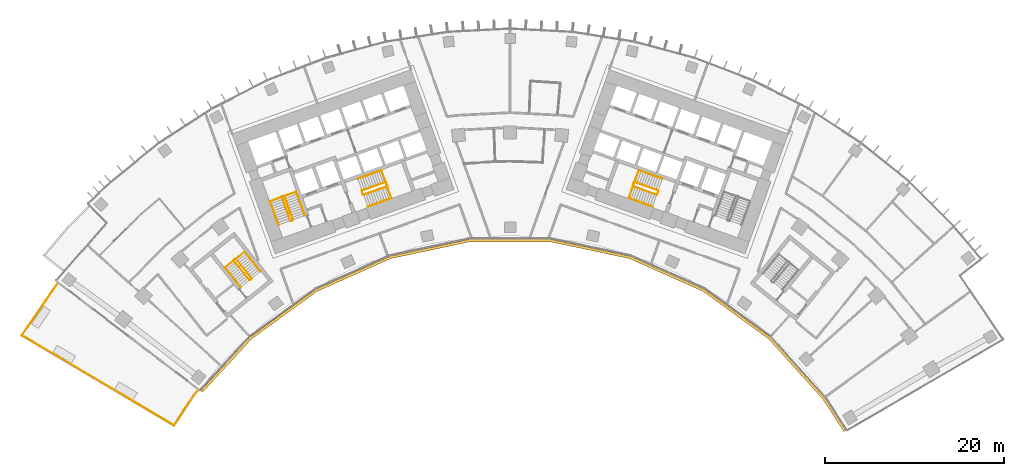
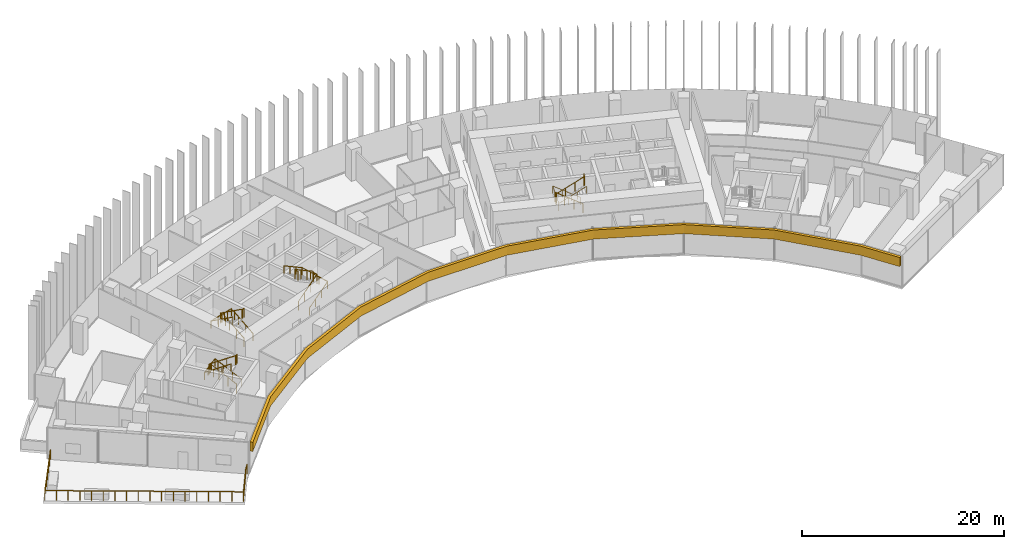
# One storey, part 20 of 21: 13 railings, 1 covering.
"""IFC4 building model written with IfcOpenShell, lengths in metres."""

from ifc_helpers import new_model, si_unit, direction, frame, origin, origin_2d, place, context, subcontext, project, spatial, polyline, circle, outline, extrude, material, layer, layer_set, type_object, element, save


model = new_model("IFC4")

# Units and contexts
model_context = context("Model", 3, precision=1e-05, world=origin(), true_north=direction((0.0, 1.0)))
body_context = subcontext(model_context, "Body", "Model", "MODEL_VIEW")
ifc_project = project(units=[si_unit("LENGTHUNIT", "METRE"), si_unit("AREAUNIT", "SQUARE_METRE"), si_unit("VOLUMEUNIT", "CUBIC_METRE"), si_unit("PLANEANGLEUNIT", "RADIAN"), si_unit("MASSUNIT", "GRAM", prefix="KILO")], contexts=[model_context])

# Site, building, storey
site_placement = place(None, origin())
site = spatial("IfcSite", under=ifc_project, at=site_placement, CompositionType="ELEMENT")
building_placement = place(site_placement, origin())
building = spatial("IfcBuilding", under=site, at=building_placement, Name="Stone Belt Terrace Tower", CompositionType="ELEMENT")
storey_placement = place(building_placement, frame((0.0, 0.0, 87.0)))
storey = spatial("IfcBuildingStorey", under=building, at=storey_placement, Name="L20", CompositionType="ELEMENT", Elevation=87.0)

# Railings
ifc_material_1 = material(Name="Structural steel C345", Category="steel")
railing_type_1 = type_object("IfcRailingType", Name="Stair guard 1100", PredefinedType="GUARDRAIL", material=ifc_material_1)
railing_1_placement = place(storey_placement, frame((-24.2119140625, 45.276123046875, 0.172607421875)))
element("IfcRailing", 1, at=railing_1_placement, inside=storey, type_object=railing_type_1, Name="L20 ST1A stair guard 1", PredefinedType="GUARDRAIL", context=body_context, shape_type="SweptSolid", body=[
    extrude(circle(Radius=0.02392578125, at=origin_2d()), frame((0.0, 0.0, 1.076171875), z_axis=(-0.288228637646, 0.800791768495, 0.525030280985), x_axis=(-0.940908529223, -0.338660803216, 0.0)), (0.0, 0.0, 1.0), 3.289794921875),
    extrude(circle(Radius=0.02392578125, at=origin_2d()), frame((-0.9482421875, 2.634521484375, 2.80322265625), z_axis=(-0.905209821074, 0.424964916, 0.0), x_axis=(-0.424964916, -0.905209821074, 0.0)), (0.0, 0.0, 1.0), 0.070556640625),
    extrude(circle(Radius=0.02392578125, at=origin_2d()), frame((-1.01220703125, 2.66455078125, 2.80322265625), z_axis=(-0.941105063269, -0.338114270461, 0.0), x_axis=(0.338114270461, -0.941105063269, 0.0)), (0.0, 0.0, 1.0), 0.199951171875),
    extrude(circle(Radius=0.02099609375, at=origin_2d()), origin(), (0.0, 0.0, 1.0), 1.052001953125),
    extrude(circle(Radius=0.02099609375, at=origin_2d()), frame((-0.316162109375, 0.878173828125, 0.57568359375)), (0.0, 0.0, 1.0), 1.052001953125),
    extrude(circle(Radius=0.02099609375, at=origin_2d()), frame((-0.632080078125, 1.75634765625, 1.151611328125)), (0.0, 0.0, 1.0), 1.052001953125),
    extrude(circle(Radius=0.02099609375, at=origin_2d()), frame((-0.9482421875, 2.634521484375, 1.727294921875)), (0.0, 0.0, 1.0), 1.052001953125),
    extrude(circle(Radius=0.02099609375, at=origin_2d()), frame((-1.01220703125, 2.66455078125, 1.727294921875)), (0.0, 0.0, 1.0), 1.052001953125),
    extrude(circle(Radius=0.02099609375, at=origin_2d()), frame((-1.200439453125, 2.596923828125, 1.727294921875)), (0.0, 0.0, 1.0), 1.052001953125),
])
railing_2_placement = place(storey_placement, frame((-25.4423828125, 47.80908203125, 2.07275390625)))
element("IfcRailing", 2, at=railing_2_placement, inside=storey, type_object=railing_type_1, Name="L20 ST1A stair guard 2", PredefinedType="GUARDRAIL", context=body_context, shape_type="SweptSolid", body=[
    extrude(circle(Radius=0.02392578125, at=origin_2d()), frame((0.0, 0.0, 1.076171875), z_axis=(0.288228637646, -0.800791768495, 0.525030280985), x_axis=(0.940908529223, 0.338660803216, 0.0)), (0.0, 0.0, 1.0), 3.289794921875),
    extrude(circle(Radius=0.02392578125, at=origin_2d()), frame((0.9482421875, -2.634521484375, 2.80322265625), z_axis=(0.903878284585, -0.427789722475, 0.0), x_axis=(0.427789722475, 0.903878284585, 0.0)), (0.0, 0.0, 1.0), 0.07080078125),
    extrude(circle(Radius=0.02392578125, at=origin_2d()), frame((1.01220703125, -2.664794921875, 2.80322265625), z_axis=(0.940575576748, 0.339584429008, 0.0), x_axis=(-0.339584429008, 0.940575576748, 0.0)), (0.0, 0.0, 1.0), 0.199951171875),
    extrude(circle(Radius=0.02099609375, at=origin_2d()), origin(), (0.0, 0.0, 1.0), 1.052001953125),
    extrude(circle(Radius=0.02099609375, at=origin_2d()), frame((0.316162109375, -0.878173828125, 0.57568359375)), (0.0, 0.0, 1.0), 1.052001953125),
    extrude(circle(Radius=0.02099609375, at=origin_2d()), frame((0.632080078125, -1.75634765625, 1.151611328125)), (0.0, 0.0, 1.0), 1.052001953125),
    extrude(circle(Radius=0.02099609375, at=origin_2d()), frame((0.9482421875, -2.634521484375, 1.727294921875)), (0.0, 0.0, 1.0), 1.052001953125),
    extrude(circle(Radius=0.02099609375, at=origin_2d()), frame((1.01220703125, -2.664794921875, 1.727294921875)), (0.0, 0.0, 1.0), 1.052001953125),
    extrude(circle(Radius=0.02099609375, at=origin_2d()), frame((1.2001953125, -2.596923828125, 1.727294921875)), (0.0, 0.0, 1.0), 1.052001953125),
])
railing_3_placement = place(storey_placement, frame((-16.33837890625, 48.056640625, 0.172607421875)))
element("IfcRailing", 3, at=railing_3_placement, inside=storey, type_object=railing_type_1, Name="L20 ST2A stair guard 1", PredefinedType="GUARDRAIL", context=body_context, shape_type="SweptSolid", body=[
    extrude(circle(Radius=0.02392578125, at=origin_2d()), frame((0.0, 0.0, 1.076171875), z_axis=(0.800808895155, 0.288160591223, 0.52504150989), x_axis=(-0.338583606334, 0.940936311087, 0.0)), (0.0, 0.0, 1.0), 3.289794921875),
    extrude(circle(Radius=0.02392578125, at=origin_2d()), frame((2.634521484375, 0.947998046875, 2.80322265625), z_axis=(0.427789722475, 0.903878284585, 0.0), x_axis=(-0.903878284585, 0.427789722475, 0.0)), (0.0, 0.0, 1.0), 0.07080078125),
    extrude(circle(Radius=0.02392578125, at=origin_2d()), frame((2.664794921875, 1.011962890625, 2.80322265625), z_axis=(-0.338654645739, 0.940910745459, 0.0), x_axis=(-0.940910745459, -0.338654645739, 0.0)), (0.0, 0.0, 1.0), 0.400146484375),
    extrude(circle(Radius=0.02099609375, at=origin_2d()), origin(), (0.0, 0.0, 1.0), 1.052001953125),
    extrude(circle(Radius=0.02099609375, at=origin_2d()), frame((0.878173828125, 0.31591796875, 0.57568359375)), (0.0, 0.0, 1.0), 1.052001953125),
    extrude(circle(Radius=0.02099609375, at=origin_2d()), frame((1.75634765625, 0.632080078125, 1.151611328125)), (0.0, 0.0, 1.0), 1.052001953125),
    extrude(circle(Radius=0.02099609375, at=origin_2d()), frame((2.634521484375, 0.947998046875, 1.727294921875)), (0.0, 0.0, 1.0), 1.052001953125),
    extrude(circle(Radius=0.02099609375, at=origin_2d()), frame((2.664794921875, 1.011962890625, 1.727294921875)), (0.0, 0.0, 1.0), 1.052001953125),
    extrude(circle(Radius=0.02099609375, at=origin_2d()), frame((2.529296875, 1.388427734375, 1.727294921875)), (0.0, 0.0, 1.0), 1.052001953125),
])
railing_4_placement = place(storey_placement, frame((-13.873046875, 49.47509765625, 2.07275390625)))
element("IfcRailing", 4, at=railing_4_placement, inside=storey, type_object=railing_type_1, Name="L20 ST2A stair guard 2", PredefinedType="GUARDRAIL", context=body_context, shape_type="SweptSolid", body=[
    extrude(circle(Radius=0.02392578125, at=origin_2d()), frame((0.0, 0.0, 1.076171875), z_axis=(-0.800808895155, -0.288160591223, 0.52504150989), x_axis=(0.338583606334, -0.940936311087, 0.0)), (0.0, 0.0, 1.0), 3.289794921875),
    extrude(circle(Radius=0.02392578125, at=origin_2d()), frame((-2.634521484375, -0.947998046875, 2.80322265625), z_axis=(-0.427789722475, -0.903878284585, 0.0), x_axis=(0.903878284585, -0.427789722475, 0.0)), (0.0, 0.0, 1.0), 0.07080078125),
    extrude(circle(Radius=0.02392578125, at=origin_2d()), frame((-2.664794921875, -1.011962890625, 2.80322265625), z_axis=(0.338654645739, -0.940910745459, 0.0), x_axis=(0.940910745459, 0.338654645739, 0.0)), (0.0, 0.0, 1.0), 0.400146484375),
    extrude(circle(Radius=0.02099609375, at=origin_2d()), origin(), (0.0, 0.0, 1.0), 1.052001953125),
    extrude(circle(Radius=0.02099609375, at=origin_2d()), frame((-0.878173828125, -0.31591796875, 0.57568359375)), (0.0, 0.0, 1.0), 1.052001953125),
    extrude(circle(Radius=0.02099609375, at=origin_2d()), frame((-1.75634765625, -0.632080078125, 1.151611328125)), (0.0, 0.0, 1.0), 1.052001953125),
    extrude(circle(Radius=0.02099609375, at=origin_2d()), frame((-2.634521484375, -0.947998046875, 1.727294921875)), (0.0, 0.0, 1.0), 1.052001953125),
    extrude(circle(Radius=0.02099609375, at=origin_2d()), frame((-2.664794921875, -1.011962890625, 1.727294921875)), (0.0, 0.0, 1.0), 1.052001953125),
    extrude(circle(Radius=0.02099609375, at=origin_2d()), frame((-2.529296875, -1.388427734375, 1.727294921875)), (0.0, 0.0, 1.0), 1.052001953125),
])
railing_5_placement = place(storey_placement, frame((16.507568359375, 48.527099609375, 0.172607421875)))
element("IfcRailing", 5, at=railing_5_placement, inside=storey, type_object=railing_type_1, Name="L20 ST2B stair guard 1", PredefinedType="GUARDRAIL", context=body_context, shape_type="SweptSolid", body=[
    extrude(circle(Radius=0.02392578125, at=origin_2d()), frame((0.0, 0.0, 1.076171875), z_axis=(-0.800808895155, 0.288160591223, 0.52504150989), x_axis=(-0.338583606334, -0.940936311087, 0.0)), (0.0, 0.0, 1.0), 3.289794921875),
    extrude(circle(Radius=0.02392578125, at=origin_2d()), frame((-2.634521484375, 0.947998046875, 2.80322265625), z_axis=(-0.905209821074, -0.424964916, 0.0), x_axis=(0.424964916, -0.905209821074, 0.0)), (0.0, 0.0, 1.0), 0.070556640625),
    extrude(circle(Radius=0.02392578125, at=origin_2d()), frame((-2.698486328125, 0.91796875, 2.80322265625), z_axis=(-0.338654645739, -0.940910745459, 0.0), x_axis=(0.940910745459, -0.338654645739, 0.0)), (0.0, 0.0, 1.0), 0.400146484375),
    extrude(circle(Radius=0.02099609375, at=origin_2d()), origin(), (0.0, 0.0, 1.0), 1.052001953125),
    extrude(circle(Radius=0.02099609375, at=origin_2d()), frame((-0.878173828125, 0.31591796875, 0.57568359375)), (0.0, 0.0, 1.0), 1.052001953125),
    extrude(circle(Radius=0.02099609375, at=origin_2d()), frame((-1.75634765625, 0.632080078125, 1.151611328125)), (0.0, 0.0, 1.0), 1.052001953125),
    extrude(circle(Radius=0.02099609375, at=origin_2d()), frame((-2.634521484375, 0.947998046875, 1.727294921875)), (0.0, 0.0, 1.0), 1.052001953125),
    extrude(circle(Radius=0.02099609375, at=origin_2d()), frame((-2.698486328125, 0.91796875, 1.727294921875)), (0.0, 0.0, 1.0), 1.052001953125),
    extrude(circle(Radius=0.02099609375, at=origin_2d()), frame((-2.833984375, 0.54150390625, 1.727294921875)), (0.0, 0.0, 1.0), 1.052001953125),
])
railing_6_placement = place(storey_placement, frame((13.703857421875, 49.004638671875, 2.07275390625)))
element("IfcRailing", 6, at=railing_6_placement, inside=storey, type_object=railing_type_1, Name="L20 ST2B stair guard 2", PredefinedType="GUARDRAIL", context=body_context, shape_type="SweptSolid", body=[
    extrude(circle(Radius=0.02392578125, at=origin_2d()), frame((0.0, 0.0, 1.076171875), z_axis=(0.800808895155, -0.288160591223, 0.52504150989), x_axis=(0.338583606334, 0.940936311087, 0.0)), (0.0, 0.0, 1.0), 3.289794921875),
    extrude(circle(Radius=0.02392578125, at=origin_2d()), frame((2.634521484375, -0.947998046875, 2.80322265625), z_axis=(0.905209821074, 0.424964916, 0.0), x_axis=(-0.424964916, 0.905209821074, 0.0)), (0.0, 0.0, 1.0), 0.070556640625),
    extrude(circle(Radius=0.02392578125, at=origin_2d()), frame((2.698486328125, -0.91796875, 2.80322265625), z_axis=(0.338654645739, 0.940910745459, 0.0), x_axis=(-0.940910745459, 0.338654645739, 0.0)), (0.0, 0.0, 1.0), 0.400146484375),
    extrude(circle(Radius=0.02099609375, at=origin_2d()), origin(), (0.0, 0.0, 1.0), 1.052001953125),
    extrude(circle(Radius=0.02099609375, at=origin_2d()), frame((0.878173828125, -0.31591796875, 0.57568359375)), (0.0, 0.0, 1.0), 1.052001953125),
    extrude(circle(Radius=0.02099609375, at=origin_2d()), frame((1.75634765625, -0.632080078125, 1.151611328125)), (0.0, 0.0, 1.0), 1.052001953125),
    extrude(circle(Radius=0.02099609375, at=origin_2d()), frame((2.634521484375, -0.947998046875, 1.727294921875)), (0.0, 0.0, 1.0), 1.052001953125),
    extrude(circle(Radius=0.02099609375, at=origin_2d()), frame((2.698486328125, -0.91796875, 1.727294921875)), (0.0, 0.0, 1.0), 1.052001953125),
    extrude(circle(Radius=0.02099609375, at=origin_2d()), frame((2.833984375, -0.54150390625, 1.727294921875)), (0.0, 0.0, 1.0), 1.052001953125),
])
railing_7_placement = place(storey_placement, frame((-28.814208984375, 38.734619140625, 0.172607421875)))
element("IfcRailing", 7, at=railing_7_placement, inside=storey, type_object=railing_type_1, Name="L20 ST3A stair guard 1", PredefinedType="GUARDRAIL", context=body_context, shape_type="SweptSolid", body=[
    extrude(circle(Radius=0.02392578125, at=origin_2d()), frame((0.0, 0.0, 1.076171875), z_axis=(-0.530306321799, 0.665665785969, 0.525037395288), x_axis=(-0.782143211408, -0.623098705543, 0.0)), (0.0, 0.0, 1.0), 3.289794921875),
    extrude(circle(Radius=0.02392578125, at=origin_2d()), frame((-1.74462890625, 2.18994140625, 2.80322265625), z_axis=(-0.993883734674, 0.110431526075, 0.0), x_axis=(-0.110431526075, -0.993883734674, 0.0)), (0.0, 0.0, 1.0), 0.07080078125),
    extrude(circle(Radius=0.02392578125, at=origin_2d()), frame((-1.81494140625, 2.19775390625, 2.80322265625), z_axis=(-0.782533463299, -0.622608527742, 0.0), x_axis=(0.622608527742, -0.782533463299, 0.0)), (0.0, 0.0, 1.0), 0.199951171875),
    extrude(circle(Radius=0.02099609375, at=origin_2d()), origin(), (0.0, 0.0, 1.0), 1.052001953125),
    extrude(circle(Radius=0.02099609375, at=origin_2d()), frame((-0.58154296875, 0.72998046875, 0.57568359375)), (0.0, 0.0, 1.0), 1.052001953125),
    extrude(circle(Radius=0.02099609375, at=origin_2d()), frame((-1.1630859375, 1.4599609375, 1.151611328125)), (0.0, 0.0, 1.0), 1.052001953125),
    extrude(circle(Radius=0.02099609375, at=origin_2d()), frame((-1.74462890625, 2.18994140625, 1.727294921875)), (0.0, 0.0, 1.0), 1.052001953125),
    extrude(circle(Radius=0.02099609375, at=origin_2d()), frame((-1.81494140625, 2.19775390625, 1.727294921875)), (0.0, 0.0, 1.0), 1.052001953125),
    extrude(circle(Radius=0.02099609375, at=origin_2d()), frame((-1.971435546875, 2.0732421875, 1.727294921875)), (0.0, 0.0, 1.0), 1.052001953125),
])
railing_8_placement = place(storey_placement, frame((-30.793701171875, 40.737548828125, 2.07275390625)))
element("IfcRailing", 8, at=railing_8_placement, inside=storey, type_object=railing_type_1, Name="L20 ST3A stair guard 2", PredefinedType="GUARDRAIL", context=body_context, shape_type="SweptSolid", body=[
    extrude(circle(Radius=0.02392578125, at=origin_2d()), frame((0.0, 0.0, 1.076171875), z_axis=(0.530359659125, -0.665639588968, 0.525016732659), x_axis=(0.782100716982, 0.62315204284, 0.0)), (0.0, 0.0, 1.0), 3.2900390625),
    extrude(circle(Radius=0.02392578125, at=origin_2d()), frame((1.744873046875, -2.18994140625, 2.80322265625), z_axis=(0.993499272973, -0.113838458361, 0.0), x_axis=(0.113838458361, 0.993499272973, 0.0)), (0.0, 0.0, 1.0), 0.07080078125),
    extrude(circle(Radius=0.02392578125, at=origin_2d()), frame((1.815185546875, -2.197998046875, 2.80322265625), z_axis=(0.781464082609, 0.623950228458, 0.0), x_axis=(-0.623950228458, 0.781464082609, 0.0)), (0.0, 0.0, 1.0), 0.199951171875),
    extrude(circle(Radius=0.02099609375, at=origin_2d()), origin(), (0.0, 0.0, 1.0), 1.052001953125),
    extrude(circle(Radius=0.02099609375, at=origin_2d()), frame((0.58154296875, -0.72998046875, 0.57568359375)), (0.0, 0.0, 1.0), 1.052001953125),
    extrude(circle(Radius=0.02099609375, at=origin_2d()), frame((1.163330078125, -1.4599609375, 1.151611328125)), (0.0, 0.0, 1.0), 1.052001953125),
    extrude(circle(Radius=0.02099609375, at=origin_2d()), frame((1.744873046875, -2.18994140625, 1.727294921875)), (0.0, 0.0, 1.0), 1.052001953125),
    extrude(circle(Radius=0.02099609375, at=origin_2d()), frame((1.815185546875, -2.197998046875, 1.727294921875)), (0.0, 0.0, 1.0), 1.052001953125),
    extrude(circle(Radius=0.02099609375, at=origin_2d()), frame((1.971435546875, -2.0732421875, 1.727294921875)), (0.0, 0.0, 1.0), 1.052001953125),
])
railing_type_2 = type_object("IfcRailingType", Name="Stair handrail 900", PredefinedType="HANDRAIL", material=ifc_material_1)
railing_9_placement = place(storey_placement, frame((-22.894775390625, 45.750244140625, 0.172607421875)))
element("IfcRailing", 9, at=railing_9_placement, inside=storey, type_object=railing_type_2, Name="L20 ST1A stair handrail 1", PredefinedType="HANDRAIL", context=body_context, shape_type="SweptSolid", body=[
    extrude(circle(Radius=0.02392578125, at=origin_2d()), frame((0.0, 0.0, 0.8759765625), z_axis=(-0.288160591223, 0.800808895155, 0.52504150989), x_axis=(-0.940936311087, -0.338583606334, 0.0)), (0.0, 0.0, 1.0), 3.289794921875),
    extrude(circle(Radius=0.02392578125, at=origin_2d()), frame((-0.947998046875, 2.634521484375, 2.60302734375), z_axis=(-0.939460408074, -0.338105101667, 0.055669398135), x_axis=(0.338630230244, -0.940919532779, 0.0)), (0.0, 0.0, 1.0), 3.10498046875),
    extrude(circle(Radius=0.02392578125, at=origin_2d()), frame((-3.864990234375, 1.584716796875, 2.77587890625), z_axis=(0.288228637646, -0.800791768495, 0.525030280985), x_axis=(0.940908529223, 0.338660803216, 0.0)), (0.0, 0.0, 1.0), 3.289794921875),
    extrude(circle(Radius=0.02099609375, at=origin_2d()), origin(), (0.0, 0.0, 1.0), 0.851806640625),
    extrude(circle(Radius=0.02099609375, at=origin_2d()), frame((-0.31591796875, 0.878173828125, 0.57568359375)), (0.0, 0.0, 1.0), 0.851806640625),
    extrude(circle(Radius=0.02099609375, at=origin_2d()), frame((-0.632080078125, 1.75634765625, 1.151611328125)), (0.0, 0.0, 1.0), 0.851806640625),
    extrude(circle(Radius=0.02099609375, at=origin_2d()), frame((-0.947998046875, 2.634521484375, 1.727294921875)), (0.0, 0.0, 1.0), 0.851806640625),
    extrude(circle(Radius=0.02099609375, at=origin_2d()), frame((-1.92041015625, 2.28466796875, 1.784912109375)), (0.0, 0.0, 1.0), 0.851806640625),
    extrude(circle(Radius=0.02099609375, at=origin_2d()), frame((-2.892578125, 1.9345703125, 1.842529296875)), (0.0, 0.0, 1.0), 0.851806640625),
    extrude(circle(Radius=0.02099609375, at=origin_2d()), frame((-3.864990234375, 1.584716796875, 1.900146484375)), (0.0, 0.0, 1.0), 0.851806640625),
    extrude(circle(Radius=0.02099609375, at=origin_2d()), frame((-3.548828125, 0.70654296875, 2.475830078125)), (0.0, 0.0, 1.0), 0.851806640625),
    extrude(circle(Radius=0.02099609375, at=origin_2d()), frame((-3.23291015625, -0.171630859375, 3.0517578125)), (0.0, 0.0, 1.0), 0.851806640625),
    extrude(circle(Radius=0.02099609375, at=origin_2d()), frame((-2.916748046875, -1.0498046875, 3.62744140625)), (0.0, 0.0, 1.0), 0.851806640625),
])
railing_10_placement = place(storey_placement, frame((-15.8642578125, 46.7392578125, 0.172607421875)))
element("IfcRailing", 10, at=railing_10_placement, inside=storey, type_object=railing_type_2, Name="L20 ST2A stair handrail 1", PredefinedType="HANDRAIL", context=body_context, shape_type="SweptSolid", body=[
    extrude(circle(Radius=0.02392578125, at=origin_2d()), frame((0.0, 0.0, 0.8759765625), z_axis=(0.800791768495, 0.288228637646, 0.525030280985), x_axis=(-0.338660803216, 0.940908529223, 0.0)), (0.0, 0.0, 1.0), 3.289794921875),
    extrude(circle(Radius=0.02392578125, at=origin_2d()), frame((2.634521484375, 0.9482421875, 2.60302734375), z_axis=(-0.338158948057, 0.939634149308, 0.052308615955), x_axis=(-0.940922302781, -0.338622533404, 0.0)), (0.0, 0.0, 1.0), 3.304443359375),
    extrude(circle(Radius=0.02392578125, at=origin_2d()), frame((1.51708984375, 4.05322265625, 2.77587890625), z_axis=(-0.800791768495, -0.288228637646, 0.525030280985), x_axis=(0.338660803216, -0.940908529223, 0.0)), (0.0, 0.0, 1.0), 3.289794921875),
    extrude(circle(Radius=0.02099609375, at=origin_2d()), origin(), (0.0, 0.0, 1.0), 0.851806640625),
    extrude(circle(Radius=0.02099609375, at=origin_2d()), frame((0.878173828125, 0.316162109375, 0.57568359375)), (0.0, 0.0, 1.0), 0.851806640625),
    extrude(circle(Radius=0.02099609375, at=origin_2d()), frame((1.75634765625, 0.632080078125, 1.151611328125)), (0.0, 0.0, 1.0), 0.851806640625),
    extrude(circle(Radius=0.02099609375, at=origin_2d()), frame((2.634521484375, 0.9482421875, 1.727294921875)), (0.0, 0.0, 1.0), 0.851806640625),
    extrude(circle(Radius=0.02099609375, at=origin_2d()), frame((2.261962890625, 1.983154296875, 1.784912109375)), (0.0, 0.0, 1.0), 0.851806640625),
    extrude(circle(Radius=0.02099609375, at=origin_2d()), frame((1.8896484375, 3.018310546875, 1.842529296875)), (0.0, 0.0, 1.0), 0.851806640625),
    extrude(circle(Radius=0.02099609375, at=origin_2d()), frame((1.51708984375, 4.05322265625, 1.900146484375)), (0.0, 0.0, 1.0), 0.851806640625),
    extrude(circle(Radius=0.02099609375, at=origin_2d()), frame((0.638916015625, 3.737060546875, 2.475830078125)), (0.0, 0.0, 1.0), 0.851806640625),
    extrude(circle(Radius=0.02099609375, at=origin_2d()), frame((-0.2392578125, 3.421142578125, 3.0517578125)), (0.0, 0.0, 1.0), 0.851806640625),
    extrude(circle(Radius=0.02099609375, at=origin_2d()), frame((-1.117431640625, 3.10498046875, 3.62744140625)), (0.0, 0.0, 1.0), 0.851806640625),
])
railing_11_placement = place(storey_placement, frame((16.981689453125, 49.84423828125, 0.172607421875)))
element("IfcRailing", 11, at=railing_11_placement, inside=storey, type_object=railing_type_2, Name="L20 ST2B stair handrail 1", PredefinedType="HANDRAIL", context=body_context, shape_type="SweptSolid", body=[
    extrude(circle(Radius=0.02392578125, at=origin_2d()), frame((0.0, 0.0, 0.8759765625), z_axis=(-0.800791768495, 0.288228637646, 0.525030280985), x_axis=(-0.338660803216, -0.940908529223, 0.0)), (0.0, 0.0, 1.0), 3.289794921875),
    extrude(circle(Radius=0.02392578125, at=origin_2d()), frame((-2.634521484375, 0.9482421875, 2.60302734375), z_axis=(-0.338158948057, -0.939634149308, 0.052308615955), x_axis=(0.940922302781, -0.338622533404, 0.0)), (0.0, 0.0, 1.0), 3.304443359375),
    extrude(circle(Radius=0.02392578125, at=origin_2d()), frame((-3.751953125, -2.15673828125, 2.77587890625), z_axis=(0.800791768495, -0.288228637646, 0.525030280985), x_axis=(0.338660803216, 0.940908529223, 0.0)), (0.0, 0.0, 1.0), 3.289794921875),
    extrude(circle(Radius=0.02099609375, at=origin_2d()), origin(), (0.0, 0.0, 1.0), 0.851806640625),
    extrude(circle(Radius=0.02099609375, at=origin_2d()), frame((-0.878173828125, 0.316162109375, 0.57568359375)), (0.0, 0.0, 1.0), 0.851806640625),
    extrude(circle(Radius=0.02099609375, at=origin_2d()), frame((-1.75634765625, 0.632080078125, 1.151611328125)), (0.0, 0.0, 1.0), 0.851806640625),
    extrude(circle(Radius=0.02099609375, at=origin_2d()), frame((-2.634521484375, 0.9482421875, 1.727294921875)), (0.0, 0.0, 1.0), 0.851806640625),
    extrude(circle(Radius=0.02099609375, at=origin_2d()), frame((-3.007080078125, -0.086669921875, 1.784912109375)), (0.0, 0.0, 1.0), 0.851806640625),
    extrude(circle(Radius=0.02099609375, at=origin_2d()), frame((-3.37939453125, -1.121826171875, 1.842529296875)), (0.0, 0.0, 1.0), 0.851806640625),
    extrude(circle(Radius=0.02099609375, at=origin_2d()), frame((-3.751953125, -2.15673828125, 1.900146484375)), (0.0, 0.0, 1.0), 0.851806640625),
    extrude(circle(Radius=0.02099609375, at=origin_2d()), frame((-2.873779296875, -2.472900390625, 2.475830078125)), (0.0, 0.0, 1.0), 0.851806640625),
    extrude(circle(Radius=0.02099609375, at=origin_2d()), frame((-1.99560546875, -2.788818359375, 3.0517578125)), (0.0, 0.0, 1.0), 0.851806640625),
    extrude(circle(Radius=0.02099609375, at=origin_2d()), frame((-1.117431640625, -3.10498046875, 3.62744140625)), (0.0, 0.0, 1.0), 0.851806640625),
])
railing_12_placement = place(storey_placement, frame((-27.836669921875, 39.513427734375, 0.172607421875)))
element("IfcRailing", 12, at=railing_12_placement, inside=storey, type_object=railing_type_2, Name="L20 ST3A stair handrail 1", PredefinedType="HANDRAIL", context=body_context, shape_type="SweptSolid", body=[
    extrude(circle(Radius=0.02392578125, at=origin_2d()), frame((0.0, 0.0, 0.8759765625), z_axis=(-0.530306321799, 0.665665785969, 0.525037395288), x_axis=(-0.782143211408, -0.623098705543, 0.0)), (0.0, 0.0, 1.0), 3.289794921875),
    extrude(circle(Radius=0.02392578125, at=origin_2d()), frame((-1.74462890625, 2.18994140625, 2.60302734375), z_axis=(-0.78065703189, -0.621914732429, 0.061617076765), x_axis=(0.623098705543, -0.782143211408, 0.0)), (0.0, 0.0, 1.0), 2.80517578125),
    extrude(circle(Radius=0.02392578125, at=origin_2d()), frame((-3.9345703125, 0.4453125, 2.77587890625), z_axis=(0.530306321799, -0.665665785969, 0.525037395288), x_axis=(0.782143211408, 0.623098705543, 0.0)), (0.0, 0.0, 1.0), 3.289794921875),
    extrude(circle(Radius=0.02099609375, at=origin_2d()), origin(), (0.0, 0.0, 1.0), 0.851806640625),
    extrude(circle(Radius=0.02099609375, at=origin_2d()), frame((-0.58154296875, 0.72998046875, 0.57568359375)), (0.0, 0.0, 1.0), 0.851806640625),
    extrude(circle(Radius=0.02099609375, at=origin_2d()), frame((-1.1630859375, 1.4599609375, 1.151611328125)), (0.0, 0.0, 1.0), 0.851806640625),
    extrude(circle(Radius=0.02099609375, at=origin_2d()), frame((-1.74462890625, 2.18994140625, 1.727294921875)), (0.0, 0.0, 1.0), 0.851806640625),
    extrude(circle(Radius=0.02099609375, at=origin_2d()), frame((-2.474609375, 1.6083984375, 1.784912109375)), (0.0, 0.0, 1.0), 0.851806640625),
    extrude(circle(Radius=0.02099609375, at=origin_2d()), frame((-3.20458984375, 1.02685546875, 1.842529296875)), (0.0, 0.0, 1.0), 0.851806640625),
    extrude(circle(Radius=0.02099609375, at=origin_2d()), frame((-3.9345703125, 0.4453125, 1.900146484375)), (0.0, 0.0, 1.0), 0.851806640625),
    extrude(circle(Radius=0.02099609375, at=origin_2d()), frame((-3.35302734375, -0.28466796875, 2.475830078125)), (0.0, 0.0, 1.0), 0.851806640625),
    extrude(circle(Radius=0.02099609375, at=origin_2d()), frame((-2.771484375, -1.0146484375, 3.0517578125)), (0.0, 0.0, 1.0), 0.851806640625),
    extrude(circle(Radius=0.02099609375, at=origin_2d()), frame((-2.18994140625, -1.74462890625, 3.62744140625)), (0.0, 0.0, 1.0), 0.851806640625),
])
ifc_material_2 = material(Name="Stainless steel AISI 304", Category="steel")
railing_type_3 = type_object("IfcRailingType", Name="Terrace guard 1200", PredefinedType="GUARDRAIL", material=ifc_material_2)
railing_13_placement = place(storey_placement, frame((-50.4306640625, 38.212158203125, 0.0)))
element("IfcRailing", 13, at=railing_13_placement, inside=storey, type_object=railing_type_3, Name="GUARD L20 1.1", PredefinedType="GUARDRAIL", context=body_context, shape_type="SweptSolid", body=[
    extrude(circle(Radius=0.02490234375, at=origin_2d()), frame((0.0, 0.0, 1.1748046875), z_axis=(-0.566379176325, -0.824144786203, 0.0), x_axis=(0.824144786203, -0.566379176325, 0.0)), (0.0, 0.0, 1.0), 7.062744140625),
    extrude(circle(Radius=0.02490234375, at=origin_2d()), frame((-4.000244140625, -5.82080078125, 1.1748046875), z_axis=(0.860557389833, -0.509353491011, 0.0), x_axis=(0.509353491011, 0.860557389833, 0.0)), (0.0, 0.0, 1.0), 19.696533203125),
    extrude(circle(Radius=0.02490234375, at=origin_2d()), frame((12.94970703125, -15.853271484375, 1.1748046875), z_axis=(0.549177886661, 0.835705479701, 0.0), x_axis=(-0.835705479701, 0.549177886661, 0.0)), (0.0, 0.0, 1.0), 3.94677734375),
    extrude(circle(Radius=0.02490234375, at=origin_2d()), frame((15.1171875, -12.554931640625, 1.1748046875), z_axis=(0.629341903283, 0.777128540701, 0.0), x_axis=(-0.777128540701, 0.629341903283, 0.0)), (0.0, 0.0, 1.0), 0.8310546875),
    extrude(circle(Radius=0.02001953125, at=origin_2d()), origin(), (0.0, 0.0, 1.0), 1.14990234375),
    extrude(circle(Radius=0.02001953125, at=origin_2d()), frame((-0.666748046875, -0.97021484375, 0.0)), (0.0, 0.0, 1.0), 1.14990234375),
    extrude(circle(Radius=0.02001953125, at=origin_2d()), frame((-1.33349609375, -1.940185546875, 0.0)), (0.0, 0.0, 1.0), 1.14990234375),
    extrude(circle(Radius=0.02001953125, at=origin_2d()), frame((-2.0, -2.910400390625, 0.0)), (0.0, 0.0, 1.0), 1.14990234375),
    extrude(circle(Radius=0.02001953125, at=origin_2d()), frame((-2.666748046875, -3.880615234375, 0.0)), (0.0, 0.0, 1.0), 1.14990234375),
    extrude(circle(Radius=0.02001953125, at=origin_2d()), frame((-3.33349609375, -4.8505859375, 0.0)), (0.0, 0.0, 1.0), 1.14990234375),
    extrude(circle(Radius=0.02001953125, at=origin_2d()), frame((-4.000244140625, -5.82080078125, 0.0)), (0.0, 0.0, 1.0), 1.14990234375),
    extrude(circle(Radius=0.02001953125, at=origin_2d()), frame((-3.003173828125, -6.410888671875, 0.0)), (0.0, 0.0, 1.0), 1.14990234375),
    extrude(circle(Radius=0.02001953125, at=origin_2d()), frame((-2.006103515625, -7.0009765625, 0.0)), (0.0, 0.0, 1.0), 1.14990234375),
    extrude(circle(Radius=0.02001953125, at=origin_2d()), frame((-1.009033203125, -7.59130859375, 0.0)), (0.0, 0.0, 1.0), 1.14990234375),
    extrude(circle(Radius=0.02001953125, at=origin_2d()), frame((-0.011962890625, -8.181396484375, 0.0)), (0.0, 0.0, 1.0), 1.14990234375),
    extrude(circle(Radius=0.02001953125, at=origin_2d()), frame((0.985107421875, -8.771484375, 0.0)), (0.0, 0.0, 1.0), 1.14990234375),
    extrude(circle(Radius=0.02001953125, at=origin_2d()), frame((1.982177734375, -9.361572265625, 0.0)), (0.0, 0.0, 1.0), 1.14990234375),
    extrude(circle(Radius=0.02001953125, at=origin_2d()), frame((2.979248046875, -9.951904296875, 0.0)), (0.0, 0.0, 1.0), 1.14990234375),
    extrude(circle(Radius=0.02001953125, at=origin_2d()), frame((3.976318359375, -10.5419921875, 0.0)), (0.0, 0.0, 1.0), 1.14990234375),
    extrude(circle(Radius=0.02001953125, at=origin_2d()), frame((4.97314453125, -11.132080078125, 0.0)), (0.0, 0.0, 1.0), 1.14990234375),
    extrude(circle(Radius=0.02001953125, at=origin_2d()), frame((5.97021484375, -11.72216796875, 0.0)), (0.0, 0.0, 1.0), 1.14990234375),
    extrude(circle(Radius=0.02001953125, at=origin_2d()), frame((6.96728515625, -12.3125, 0.0)), (0.0, 0.0, 1.0), 1.14990234375),
    extrude(circle(Radius=0.02001953125, at=origin_2d()), frame((7.96435546875, -12.902587890625, 0.0)), (0.0, 0.0, 1.0), 1.14990234375),
    extrude(circle(Radius=0.02001953125, at=origin_2d()), frame((8.96142578125, -13.49267578125, 0.0)), (0.0, 0.0, 1.0), 1.14990234375),
    extrude(circle(Radius=0.02001953125, at=origin_2d()), frame((9.95849609375, -14.082763671875, 0.0)), (0.0, 0.0, 1.0), 1.14990234375),
    extrude(circle(Radius=0.02001953125, at=origin_2d()), frame((10.95556640625, -14.673095703125, 0.0)), (0.0, 0.0, 1.0), 1.14990234375),
    extrude(circle(Radius=0.02001953125, at=origin_2d()), frame((11.95263671875, -15.26318359375, 0.0)), (0.0, 0.0, 1.0), 1.14990234375),
    extrude(circle(Radius=0.02001953125, at=origin_2d()), frame((12.94970703125, -15.853271484375, 0.0)), (0.0, 0.0, 1.0), 1.14990234375),
    extrude(circle(Radius=0.02001953125, at=origin_2d()), frame((13.49169921875, -15.02880859375, 0.0)), (0.0, 0.0, 1.0), 1.14990234375),
    extrude(circle(Radius=0.02001953125, at=origin_2d()), frame((14.033447265625, -14.2041015625, 0.0)), (0.0, 0.0, 1.0), 1.14990234375),
    extrude(circle(Radius=0.02001953125, at=origin_2d()), frame((14.5751953125, -13.37939453125, 0.0)), (0.0, 0.0, 1.0), 1.14990234375),
    extrude(circle(Radius=0.02001953125, at=origin_2d()), frame((15.1171875, -12.554931640625, 0.0)), (0.0, 0.0, 1.0), 1.14990234375),
    extrude(circle(Radius=0.02001953125, at=origin_2d()), frame((15.64013671875, -11.9091796875, 0.0)), (0.0, 0.0, 1.0), 1.14990234375),
])

# Covering
ifc_material_3 = material(Name="Terracotta coloured glazed ceramic", Category="masonry")
ifc_layer = layer(ifc_material_3, 0.300048828125)
ifc_layer_set = layer_set([ifc_layer], Name="Terracotta spandrel band 300 x 1100")
covering_type = type_object("IfcCoveringType", Name="Terracotta spandrel band 300 x 1100", PredefinedType="CLADDING", material=ifc_layer_set)
covering_placement = place(storey_placement, frame((0.0, 0.0, 2.699951171875)))
element("IfcCovering", 14, at=covering_placement, inside=storey, type_object=covering_type, Name="BAND L20", PredefinedType="CLADDING", context=body_context, shape_type="SweptSolid", body=[
    extrude(outline(polyline([(-34.498291015625, 26.25146484375), (-29.0068359375, 32.214111328125), (-21.674560546875, 37.54150390625), (-13.395751953125, 41.2275390625), (-4.53125, 43.11181640625), (4.53125, 43.11181640625), (13.395751953125, 41.2275390625), (21.674560546875, 37.54150390625), (29.00634765625, 32.214599609375), (35.072998046875, 25.47705078125), (37.46875, 21.802001953125), (37.217529296875, 21.63818359375), (34.83447265625, 25.29345703125), (28.804443359375, 31.990478515625), (21.523681640625, 37.2802734375), (13.302490234375, 40.940673828125), (4.499755859375, 42.811767578125), (-4.499755859375, 42.811767578125), (-13.302490234375, 40.940673828125), (-21.523681640625, 37.2802734375), (-28.806396484375, 31.989013671875), (-34.277587890625, 26.04833984375), (-34.498291015625, 26.25146484375)])), origin(), (0.0, 0.0, 1.0), 1.10009765625),
])

save(model, "model.ifc")
